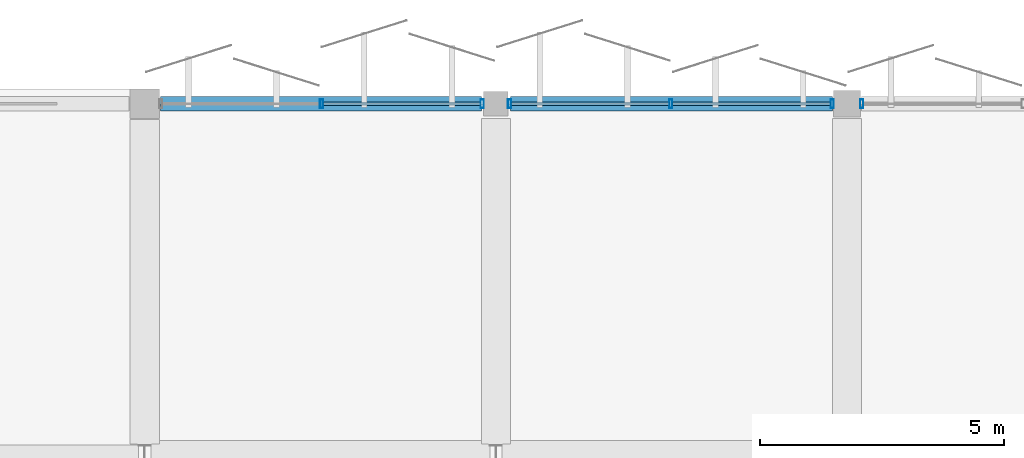
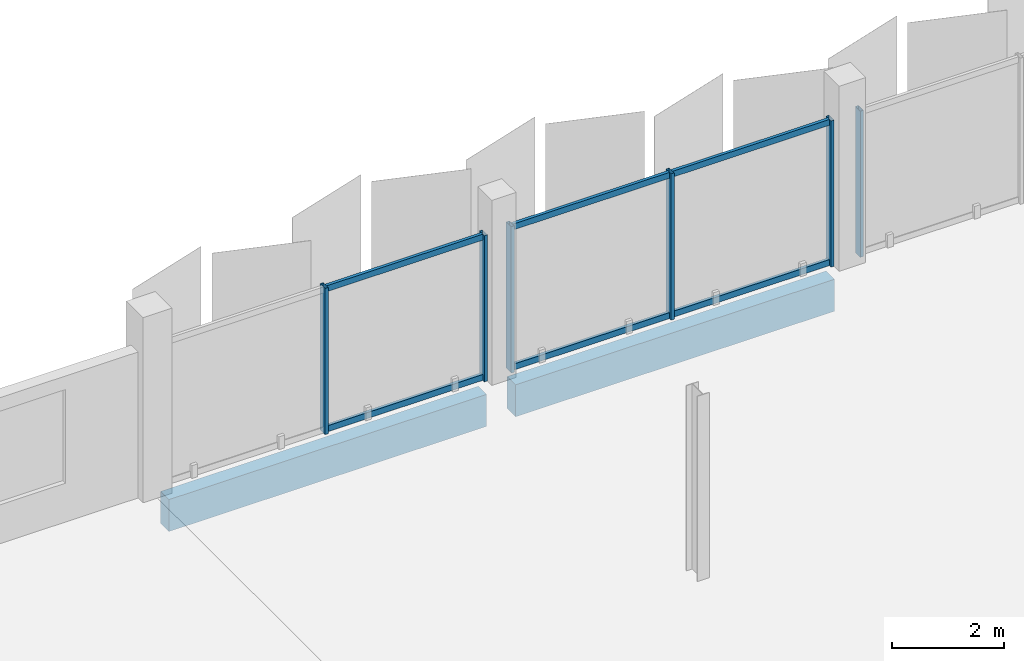
# One storey, part 38 of 107: 12 members, 2 beams, 3 elements without a shape of their own.
"""IFC4 building model written with IfcOpenShell, lengths in metres."""

from ifc_helpers import new_model, si_unit, direction, frame, origin, origin_2d, place, context, subcontext, project, spatial, rectangle, hollow_rectangle, extrude, material, layer, layer_set, material_profile, profile_set, type_object, element, aggregate, save


model = new_model("IFC4")

# Units and contexts
model_context = context("Model", 3, precision=1e-05, world=origin(), true_north=direction((0.0, 1.0)))
body_context = subcontext(model_context, "Body", "Model", "MODEL_VIEW")
ifc_project = project(units=[si_unit("LENGTHUNIT", "METRE"), si_unit("AREAUNIT", "SQUARE_METRE"), si_unit("VOLUMEUNIT", "CUBIC_METRE"), si_unit("PLANEANGLEUNIT", "RADIAN"), si_unit("MASSUNIT", "GRAM", prefix="KILO")], contexts=[model_context])

# Site, building, storey
site_placement = place(None, origin())
site = spatial("IfcSite", under=ifc_project, at=site_placement, CompositionType="ELEMENT")
building_placement = place(site_placement, origin())
building = spatial("IfcBuilding", under=site, at=building_placement, Name="Kangsadwip Square Police Headquarters", CompositionType="ELEMENT")
storey_placement = place(building_placement, frame((0.0, 0.0, 5.39990234375)))
storey = spatial("IfcBuildingStorey", under=building, at=storey_placement, Name="L01", CompositionType="ELEMENT", Elevation=5.39990234375)

# Curtain wall, members
ifc_material_1 = material(Name="Thermally broken anodised aluminium AW-6063-T6", Category="aluminium")
ifc_layer_1 = layer(ifc_material_1, 0.159912109375)
ifc_layer_set_1 = layer_set([ifc_layer_1], Name="Thermally broken anodised aluminium AW-6063-T6")
curtain_wall_type_1 = type_object("IfcCurtainWallType", Name="UnitisedCw6660x3200", PredefinedType="NOTDEFINED", material=ifc_layer_set_1)
curtain_wall_1_placement = place(storey_placement, origin())
curtain_wall_1 = element("IfcCurtainWall", 1, at=curtain_wall_1_placement, inside=storey, type_object=curtain_wall_type_1, Name="Curtain Wall CW-L01-0435-1152", PredefinedType="NOTDEFINED")
ifc_material_2 = material(Name="Thermally broken anodised aluminium AW-6063-T6", Category="aluminium")
ifc_material_profile_1 = material_profile(ifc_material_2, hollow_rectangle(XDim=0.06494140625, YDim=0.179931640625, WallThickness=0.00390625, at=origin_2d()), Name="CWM 180X65X4")
ifc_profile_set_1 = profile_set([ifc_material_profile_1], Name="Thermally broken anodised aluminium AW-6063-T6")
member_type_1 = type_object("IfcMemberType", Name="CwMullion160x65", PredefinedType="MULLION", material=ifc_profile_set_1)
member_1_placement = place(storey_placement, frame((46.824951171875, 115.199951171875, 0.0), z_axis=(0.0, 0.0, 1.0), x_axis=(1.0, 0.0, 0.0)))
member_1 = element("IfcMember", 2, at=member_1_placement, type_object=member_type_1, Name="CW-22 mullion 2", PredefinedType="MULLION", context=body_context, shape_type="SweptSolid", body=[
    extrude(hollow_rectangle(XDim=0.06494140625, YDim=0.179931640625, WallThickness=0.00390625, at=origin_2d()), origin(), (0.0, 0.0, 1.0), 3.2001953125),
])
member_2_placement = place(storey_placement, frame((50.12255859375, 115.199951171875, 0.0), z_axis=(0.0, 0.0, 1.0), x_axis=(1.0, 0.0, 0.0)))
member_2 = element("IfcMember", 3, at=member_2_placement, type_object=member_type_1, Name="CW-22 mullion 3", PredefinedType="MULLION", context=body_context, shape_type="SweptSolid", body=[
    extrude(hollow_rectangle(XDim=0.06494140625, YDim=0.179931640625, WallThickness=0.00390625, at=origin_2d()), origin(), (0.0, 0.0, 1.0), 3.2001953125),
])

ifc_material_3 = material(Name="Thermally broken anodised aluminium AW-6063-T6", Category="aluminium")
ifc_layer_2 = layer(ifc_material_3, 0.159912109375)
ifc_layer_set_2 = layer_set([ifc_layer_2], Name="Thermally broken anodised aluminium AW-6063-T6")
curtain_wall_type_2 = type_object("IfcCurtainWallType", Name="UnitisedCw6685x3200", PredefinedType="NOTDEFINED", material=ifc_layer_set_2)
curtain_wall_2_placement = place(storey_placement, origin())
curtain_wall_2 = element("IfcCurtainWall", 4, at=curtain_wall_2_placement, inside=storey, type_object=curtain_wall_type_2, Name="Curtain Wall CW-L01-0506-1152", PredefinedType="NOTDEFINED")
member_3_placement = place(storey_placement, frame((50.677490234375, 115.199951171875, 0.0), z_axis=(0.0, 0.0, 1.0), x_axis=(1.0, 0.0, 0.0)))
member_3 = element("IfcMember", 5, at=member_3_placement, type_object=member_type_1, Name="CW-23 mullion 1", PredefinedType="MULLION", context=body_context, shape_type="SweptSolid", body=[
    extrude(hollow_rectangle(XDim=0.06494140625, YDim=0.179931640625, WallThickness=0.00390625, at=origin_2d()), origin(), (0.0, 0.0, 1.0), 3.2001953125),
])
member_4_placement = place(storey_placement, frame((53.987548828125, 115.199951171875, 0.0), z_axis=(0.0, 0.0, 1.0), x_axis=(1.0, 0.0, 0.0)))
member_4 = element("IfcMember", 6, at=member_4_placement, type_object=member_type_1, Name="CW-23 mullion 2", PredefinedType="MULLION", context=body_context, shape_type="SweptSolid", body=[
    extrude(hollow_rectangle(XDim=0.06494140625, YDim=0.179931640625, WallThickness=0.00390625, at=origin_2d()), origin(), (0.0, 0.0, 1.0), 3.2001953125),
])
member_5_placement = place(storey_placement, frame((57.297607421875, 115.199951171875, 0.0), z_axis=(0.0, 0.0, 1.0), x_axis=(1.0, 0.0, 0.0)))
member_5 = element("IfcMember", 7, at=member_5_placement, type_object=member_type_1, Name="CW-23 mullion 3", PredefinedType="MULLION", context=body_context, shape_type="SweptSolid", body=[
    extrude(hollow_rectangle(XDim=0.06494140625, YDim=0.179931640625, WallThickness=0.00390625, at=origin_2d()), origin(), (0.0, 0.0, 1.0), 3.2001953125),
])

# Curtain wall, member
curtain_wall_3_placement = place(storey_placement, origin())
curtain_wall_3 = element("IfcCurtainWall", 8, at=curtain_wall_3_placement, inside=storey, type_object=curtain_wall_type_2, Name="Curtain Wall CW-L01-0579-1152", PredefinedType="NOTDEFINED")
member_6_placement = place(storey_placement, frame((57.902587890625, 115.199951171875, 0.0), z_axis=(0.0, 0.0, 1.0), x_axis=(1.0, 0.0, 0.0)))
member_6 = element("IfcMember", 9, at=member_6_placement, type_object=member_type_1, Name="CW-23 mullion 1", PredefinedType="MULLION", context=body_context, shape_type="SweptSolid", body=[
    extrude(hollow_rectangle(XDim=0.06494140625, YDim=0.179931640625, WallThickness=0.00390625, at=origin_2d()), origin(), (0.0, 0.0, 1.0), 3.2001953125),
])
aggregate(curtain_wall_3, [member_6])

# Member
ifc_material_4 = material(Name="Thermally broken anodised aluminium AW-6063-T6", Category="aluminium")
ifc_material_profile_2 = material_profile(ifc_material_4, hollow_rectangle(XDim=0.06494140625, YDim=0.1298828125, WallThickness=0.00390625, at=origin_2d()), Name="CWT 130X65X4")
ifc_profile_set_2 = profile_set([ifc_material_profile_2], Name="Thermally broken anodised aluminium AW-6063-T6")
member_type_2 = type_object("IfcMemberType", Name="CwTransom140x60", PredefinedType="USERDEFINED", material=ifc_profile_set_2)
member_7_placement = place(storey_placement, frame((46.857421875, 115.199951171875, 0.065185546875), z_axis=(1.0, 0.0, 0.0), x_axis=(0.0, 1.0, 0.0)))
member_7 = element("IfcMember", 10, at=member_7_placement, type_object=member_type_2, Name="CW-22 transom 2.1", ObjectType="TRANSOM", PredefinedType="USERDEFINED", context=body_context, shape_type="SweptSolid", body=[
    extrude(hollow_rectangle(XDim=0.06494140625, YDim=0.1298828125, WallThickness=0.00390625, at=origin_2d()), origin(), (0.0, 0.0, 1.0), 3.232666015625),
])

member_8_placement = place(storey_placement, frame((46.857421875, 115.199951171875, 3.135009765625), z_axis=(1.0, 0.0, 0.0), x_axis=(0.0, 1.0, 0.0)))
member_8 = element("IfcMember", 11, at=member_8_placement, type_object=member_type_2, Name="CW-22 transom 2.2", ObjectType="TRANSOM", PredefinedType="USERDEFINED", context=body_context, shape_type="SweptSolid", body=[
    extrude(hollow_rectangle(XDim=0.06494140625, YDim=0.1298828125, WallThickness=0.00390625, at=origin_2d()), origin(), (0.0, 0.0, 1.0), 3.232666015625),
])

aggregate(curtain_wall_1, [member_1, member_2, member_7, member_8])

member_9_placement = place(storey_placement, frame((50.7099609375, 115.199951171875, 0.065185546875), z_axis=(1.0, 0.0, 0.0), x_axis=(0.0, 1.0, 0.0)))
member_9 = element("IfcMember", 12, at=member_9_placement, type_object=member_type_2, Name="CW-23 transom 1.1", ObjectType="TRANSOM", PredefinedType="USERDEFINED", context=body_context, shape_type="SweptSolid", body=[
    extrude(hollow_rectangle(XDim=0.06494140625, YDim=0.1298828125, WallThickness=0.00390625, at=origin_2d()), origin(), (0.0, 0.0, 1.0), 3.2451171875),
])

member_10_placement = place(storey_placement, frame((50.7099609375, 115.199951171875, 3.135009765625), z_axis=(1.0, 0.0, 0.0), x_axis=(0.0, 1.0, 0.0)))
member_10 = element("IfcMember", 13, at=member_10_placement, type_object=member_type_2, Name="CW-23 transom 1.2", ObjectType="TRANSOM", PredefinedType="USERDEFINED", context=body_context, shape_type="SweptSolid", body=[
    extrude(hollow_rectangle(XDim=0.06494140625, YDim=0.1298828125, WallThickness=0.00390625, at=origin_2d()), origin(), (0.0, 0.0, 1.0), 3.2451171875),
])

member_11_placement = place(storey_placement, frame((54.02001953125, 115.199951171875, 0.065185546875), z_axis=(1.0, 0.0, 0.0), x_axis=(0.0, 1.0, 0.0)))
member_11 = element("IfcMember", 14, at=member_11_placement, type_object=member_type_2, Name="CW-23 transom 2.1", ObjectType="TRANSOM", PredefinedType="USERDEFINED", context=body_context, shape_type="SweptSolid", body=[
    extrude(hollow_rectangle(XDim=0.06494140625, YDim=0.1298828125, WallThickness=0.00390625, at=origin_2d()), origin(), (0.0, 0.0, 1.0), 3.244873046875),
])

member_12_placement = place(storey_placement, frame((54.02001953125, 115.199951171875, 3.135009765625), z_axis=(1.0, 0.0, 0.0), x_axis=(0.0, 1.0, 0.0)))
member_12 = element("IfcMember", 15, at=member_12_placement, type_object=member_type_2, Name="CW-23 transom 2.2", ObjectType="TRANSOM", PredefinedType="USERDEFINED", context=body_context, shape_type="SweptSolid", body=[
    extrude(hollow_rectangle(XDim=0.06494140625, YDim=0.1298828125, WallThickness=0.00390625, at=origin_2d()), origin(), (0.0, 0.0, 1.0), 3.244873046875),
])

aggregate(curtain_wall_2, [member_3, member_4, member_5, member_9, member_10, member_11, member_12])

# Beams
ifc_material_5 = material(Name="Concrete M40 (40 MPa)", Category="concrete")
ifc_material_profile_3 = material_profile(ifc_material_5, rectangle(XDim=0.300048828125, YDim=0.699951171875, at=origin_2d()), Name="RC SPN 700X300")
ifc_profile_set_3 = profile_set([ifc_material_profile_3], Name="Concrete M40 (40 MPa)")
beam_type = type_object("IfcBeamType", Name="RcSpandrel700x300", PredefinedType="SPANDREL", material=ifc_profile_set_3)
beam_1_placement = place(storey_placement, frame((43.52490234375, 115.199951171875, -0.58984375), z_axis=(1.0, 0.0, 0.0), x_axis=(0.0, 1.0, 0.0)))
element("IfcBeam", 16, at=beam_1_placement, inside=storey, type_object=beam_type, Name="Beam BM-L01-X-06-16", PredefinedType="SPANDREL", context=body_context, shape_type="SweptSolid", body=[
    extrude(rectangle(XDim=0.300048828125, YDim=0.699951171875, at=origin_2d()), origin(), (0.0, 0.0, 1.0), 6.5751953125),
])
beam_2_placement = place(storey_placement, frame((50.699951171875, 115.199951171875, -0.58984375), z_axis=(1.0, 0.0, 0.0), x_axis=(0.0, 1.0, 0.0)))
element("IfcBeam", 17, at=beam_2_placement, inside=storey, type_object=beam_type, Name="Beam BM-L01-X-07-16", PredefinedType="SPANDREL", context=body_context, shape_type="SweptSolid", body=[
    extrude(rectangle(XDim=0.300048828125, YDim=0.699951171875, at=origin_2d()), origin(), (0.0, 0.0, 1.0), 6.60009765625),
])

save(model, "model.ifc")
